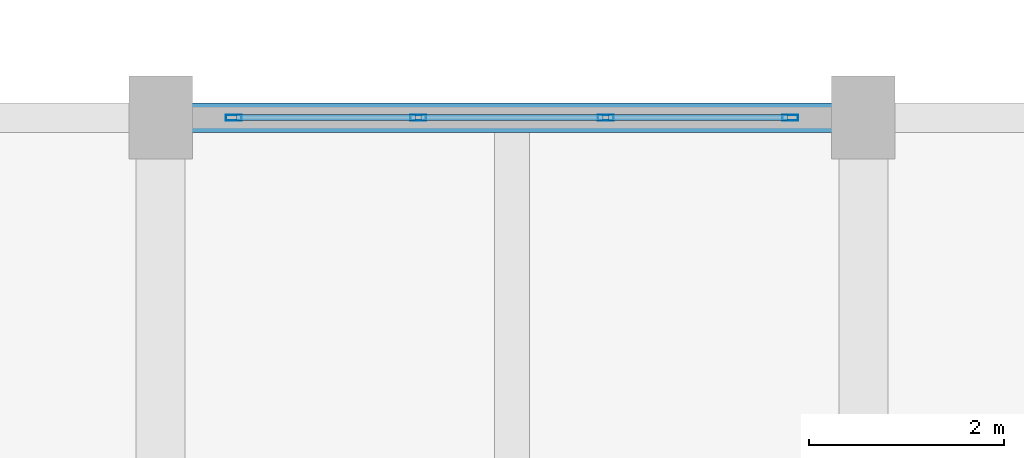
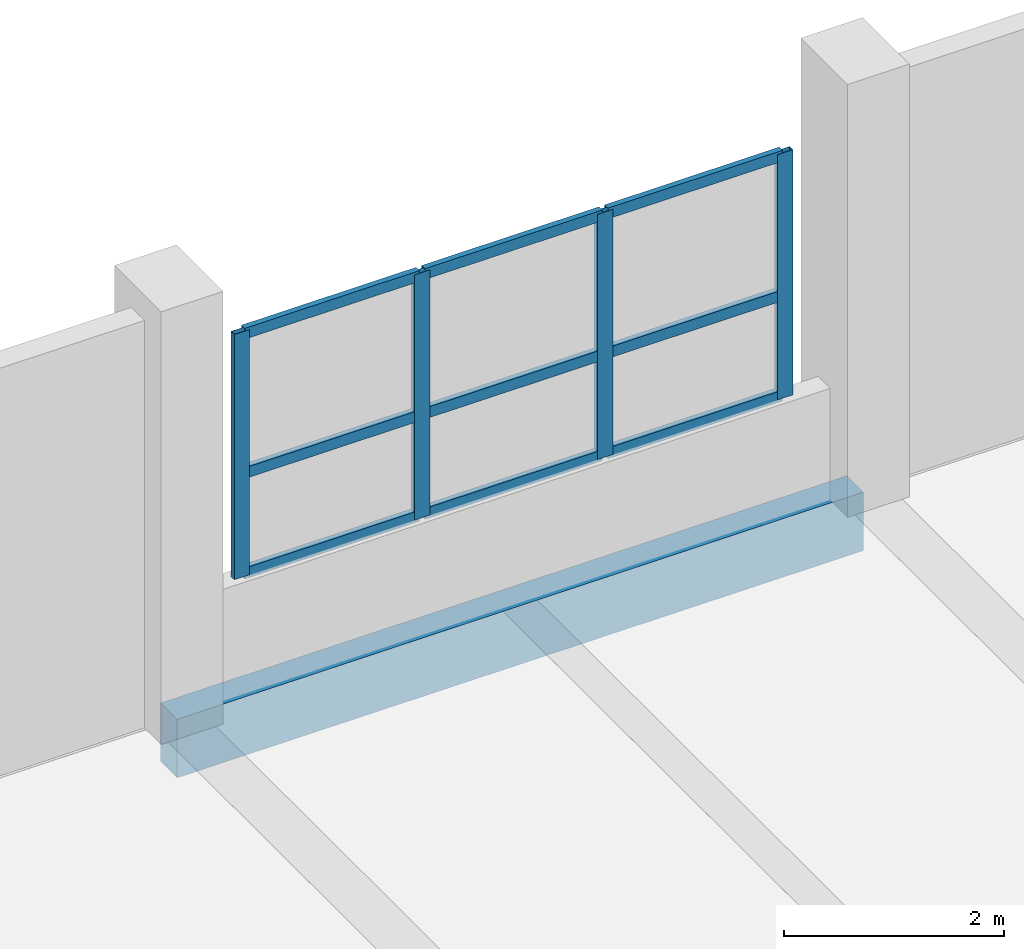
# One storey, part 142 of 181: 13 members, 1 beam, 1 element without a shape of its own.
"""IFC4 building model written with IfcOpenShell, lengths in metres."""

from ifc_helpers import new_model, si_unit, direction, frame, origin, origin_2d, place, context, subcontext, project, spatial, rectangle, hollow_rectangle, extrude, material, layer, layer_set, material_profile, profile_set, type_object, element, aggregate, save


model = new_model("IFC4")

# Units and contexts
model_context = context("Model", 3, precision=1e-05, world=origin(), true_north=direction((0.0, 1.0)))
body_context = subcontext(model_context, "Body", "Model", "MODEL_VIEW")
ifc_project = project(units=[si_unit("LENGTHUNIT", "METRE"), si_unit("AREAUNIT", "SQUARE_METRE"), si_unit("VOLUMEUNIT", "CUBIC_METRE"), si_unit("PLANEANGLEUNIT", "RADIAN"), si_unit("MASSUNIT", "GRAM", prefix="KILO")], contexts=[model_context])

# Site, building, storey
site_placement = place(None, origin())
site = spatial("IfcSite", under=ifc_project, at=site_placement, CompositionType="ELEMENT")
building_placement = place(site_placement, origin())
building = spatial("IfcBuilding", under=site, at=building_placement, Name="Seraya Terrace Polytechnic", CompositionType="ELEMENT")
storey_placement = place(building_placement, frame((0.0, 0.0, 4.800048828125)))
storey = spatial("IfcBuildingStorey", under=building, at=storey_placement, Name="L01", CompositionType="ELEMENT", Elevation=4.800048828125)

# Curtain wall, members
ifc_material_1 = material(Name="Anodised aluminium EN AW-6063 T6", Category="aluminium")
ifc_layer = layer(ifc_material_1, 0.179931640625, Name="CW-17")
ifc_layer_set = layer_set([ifc_layer], Name="Anodised aluminium EN AW-6063 T6")
curtain_wall_type = type_object("IfcCurtainWallType", Name="CW-17", PredefinedType="NOTDEFINED", material=ifc_layer_set)
curtain_wall_placement = place(storey_placement, origin())
curtain_wall = element("IfcCurtainWall", 1, at=curtain_wall_placement, inside=storey, type_object=curtain_wall_type, Name="Unitised curtain wall CW-17 (CW-L01-017)", PredefinedType="NOTDEFINED")
ifc_material_profile_1 = material_profile(ifc_material_1, hollow_rectangle(XDim=0.06005859375, YDim=0.159912109375, WallThickness=0.00341796875, at=origin_2d()), Name="RHS 160x60x3.5")
ifc_profile_set_1 = profile_set([ifc_material_profile_1], Name="Anodised aluminium EN AW-6063 T6")
member_type_1 = type_object("IfcMemberType", Name="CWM-02", PredefinedType="MULLION", material=ifc_profile_set_1)
member_1_placement = place(storey_placement, frame((130.35009765625, 115.199951171875, 1.239990234375), z_axis=(0.0, 0.0, 1.0), x_axis=(0.0, 1.0, 0.0)))
member_1 = element("IfcMember", 2, at=member_1_placement, type_object=member_type_1, Name="CW-17 mullion 1", PredefinedType="MULLION", context=body_context, shape_type="SweptSolid", body=[
    extrude(hollow_rectangle(XDim=0.06005859375, YDim=0.159912109375, WallThickness=0.00341796875, at=origin_2d()), origin(), (0.0, 0.0, 1.0), 2.719970703125),
])
member_2_placement = place(storey_placement, frame((132.239990234375, 115.199951171875, 1.239990234375), z_axis=(0.0, 0.0, 1.0), x_axis=(0.0, 1.0, 0.0)))
member_2 = element("IfcMember", 3, at=member_2_placement, type_object=member_type_1, Name="CW-17 mullion 2", PredefinedType="MULLION", context=body_context, shape_type="SweptSolid", body=[
    extrude(hollow_rectangle(XDim=0.06005859375, YDim=0.159912109375, WallThickness=0.00341796875, at=origin_2d()), origin(), (0.0, 0.0, 1.0), 2.719970703125),
])
member_3_placement = place(storey_placement, frame((134.159912109375, 115.199951171875, 1.239990234375), z_axis=(0.0, 0.0, 1.0), x_axis=(0.0, 1.0, 0.0)))
member_3 = element("IfcMember", 4, at=member_3_placement, type_object=member_type_1, Name="CW-17 mullion 3", PredefinedType="MULLION", context=body_context, shape_type="SweptSolid", body=[
    extrude(hollow_rectangle(XDim=0.06005859375, YDim=0.159912109375, WallThickness=0.00341796875, at=origin_2d()), origin(), (0.0, 0.0, 1.0), 2.719970703125),
])
member_4_placement = place(storey_placement, frame((136.050048828125, 115.199951171875, 1.239990234375), z_axis=(0.0, 0.0, 1.0), x_axis=(0.0, 1.0, 0.0)))
member_4 = element("IfcMember", 5, at=member_4_placement, type_object=member_type_1, Name="CW-17 mullion 4", PredefinedType="MULLION", context=body_context, shape_type="SweptSolid", body=[
    extrude(hollow_rectangle(XDim=0.06005859375, YDim=0.159912109375, WallThickness=0.00341796875, at=origin_2d()), origin(), (0.0, 0.0, 1.0), 2.719970703125),
])
ifc_material_profile_2 = material_profile(ifc_material_1, hollow_rectangle(XDim=0.06005859375, YDim=0.1201171875, WallThickness=0.003173828125, at=origin_2d()), Name="RHS 120x60x3.2")
ifc_profile_set_2 = profile_set([ifc_material_profile_2], Name="Anodised aluminium EN AW-6063 T6")
member_type_2 = type_object("IfcMemberType", Name="CWT-02", PredefinedType="USERDEFINED", material=ifc_profile_set_2)
member_5_placement = place(storey_placement, frame((130.3798828125, 115.199951171875, 1.27001953125), z_axis=(1.0, 0.0, 0.0), x_axis=(0.0, 1.0, 0.0)))
member_5 = element("IfcMember", 6, at=member_5_placement, type_object=member_type_2, Name="CW-17 transom 1.1", ObjectType="TRANSOM", PredefinedType="USERDEFINED", context=body_context, shape_type="SweptSolid", body=[
    extrude(hollow_rectangle(XDim=0.06005859375, YDim=0.1201171875, WallThickness=0.003173828125, at=origin_2d()), origin(), (0.0, 0.0, 1.0), 1.830078125),
])
member_6_placement = place(storey_placement, frame((130.3798828125, 115.199951171875, 2.38232421875), z_axis=(1.0, 0.0, 0.0), x_axis=(0.0, 1.0, 0.0)))
member_6 = element("IfcMember", 7, at=member_6_placement, type_object=member_type_2, Name="CW-17 transom 1.2", ObjectType="TRANSOM", PredefinedType="USERDEFINED", context=body_context, shape_type="SweptSolid", body=[
    extrude(hollow_rectangle(XDim=0.06005859375, YDim=0.1201171875, WallThickness=0.003173828125, at=origin_2d()), origin(), (0.0, 0.0, 1.0), 1.830078125),
])
member_7_placement = place(storey_placement, frame((130.3798828125, 115.199951171875, 3.929931640625), z_axis=(1.0, 0.0, 0.0), x_axis=(0.0, 1.0, 0.0)))
member_7 = element("IfcMember", 8, at=member_7_placement, type_object=member_type_2, Name="CW-17 transom 1.3", ObjectType="TRANSOM", PredefinedType="USERDEFINED", context=body_context, shape_type="SweptSolid", body=[
    extrude(hollow_rectangle(XDim=0.06005859375, YDim=0.1201171875, WallThickness=0.003173828125, at=origin_2d()), origin(), (0.0, 0.0, 1.0), 1.830078125),
])
member_8_placement = place(storey_placement, frame((132.27001953125, 115.199951171875, 1.27001953125), z_axis=(1.0, 0.0, 0.0), x_axis=(0.0, 1.0, 0.0)))
member_8 = element("IfcMember", 9, at=member_8_placement, type_object=member_type_2, Name="CW-17 transom 2.1", ObjectType="TRANSOM", PredefinedType="USERDEFINED", context=body_context, shape_type="SweptSolid", body=[
    extrude(hollow_rectangle(XDim=0.06005859375, YDim=0.1201171875, WallThickness=0.003173828125, at=origin_2d()), origin(), (0.0, 0.0, 1.0), 1.85986328125),
])
member_9_placement = place(storey_placement, frame((132.27001953125, 115.199951171875, 2.38232421875), z_axis=(1.0, 0.0, 0.0), x_axis=(0.0, 1.0, 0.0)))
member_9 = element("IfcMember", 10, at=member_9_placement, type_object=member_type_2, Name="CW-17 transom 2.2", ObjectType="TRANSOM", PredefinedType="USERDEFINED", context=body_context, shape_type="SweptSolid", body=[
    extrude(hollow_rectangle(XDim=0.06005859375, YDim=0.1201171875, WallThickness=0.003173828125, at=origin_2d()), origin(), (0.0, 0.0, 1.0), 1.85986328125),
])
member_10_placement = place(storey_placement, frame((132.27001953125, 115.199951171875, 3.929931640625), z_axis=(1.0, 0.0, 0.0), x_axis=(0.0, 1.0, 0.0)))
member_10 = element("IfcMember", 11, at=member_10_placement, type_object=member_type_2, Name="CW-17 transom 2.3", ObjectType="TRANSOM", PredefinedType="USERDEFINED", context=body_context, shape_type="SweptSolid", body=[
    extrude(hollow_rectangle(XDim=0.06005859375, YDim=0.1201171875, WallThickness=0.003173828125, at=origin_2d()), origin(), (0.0, 0.0, 1.0), 1.85986328125),
])
member_11_placement = place(storey_placement, frame((134.18994140625, 115.199951171875, 1.27001953125), z_axis=(1.0, 0.0, 0.0), x_axis=(0.0, 1.0, 0.0)))
member_11 = element("IfcMember", 12, at=member_11_placement, type_object=member_type_2, Name="CW-17 transom 3.1", ObjectType="TRANSOM", PredefinedType="USERDEFINED", context=body_context, shape_type="SweptSolid", body=[
    extrude(hollow_rectangle(XDim=0.06005859375, YDim=0.1201171875, WallThickness=0.003173828125, at=origin_2d()), origin(), (0.0, 0.0, 1.0), 1.830078125),
])
member_12_placement = place(storey_placement, frame((134.18994140625, 115.199951171875, 2.38232421875), z_axis=(1.0, 0.0, 0.0), x_axis=(0.0, 1.0, 0.0)))
member_12 = element("IfcMember", 13, at=member_12_placement, type_object=member_type_2, Name="CW-17 transom 3.2", ObjectType="TRANSOM", PredefinedType="USERDEFINED", context=body_context, shape_type="SweptSolid", body=[
    extrude(hollow_rectangle(XDim=0.06005859375, YDim=0.1201171875, WallThickness=0.003173828125, at=origin_2d()), origin(), (0.0, 0.0, 1.0), 1.830078125),
])
member_13_placement = place(storey_placement, frame((134.18994140625, 115.199951171875, 3.929931640625), z_axis=(1.0, 0.0, 0.0), x_axis=(0.0, 1.0, 0.0)))
member_13 = element("IfcMember", 14, at=member_13_placement, type_object=member_type_2, Name="CW-17 transom 3.3", ObjectType="TRANSOM", PredefinedType="USERDEFINED", context=body_context, shape_type="SweptSolid", body=[
    extrude(hollow_rectangle(XDim=0.06005859375, YDim=0.1201171875, WallThickness=0.003173828125, at=origin_2d()), origin(), (0.0, 0.0, 1.0), 1.830078125),
])
aggregate(curtain_wall, [member_1, member_2, member_3, member_4, member_5, member_6, member_7, member_8, member_9, member_10, member_11, member_12, member_13])

# Beam
ifc_material_2 = material(Name="Concrete C40/50", Category="concrete")
ifc_material_profile_3 = material_profile(ifc_material_2, rectangle(XDim=0.300048828125, YDim=0.64990234375, at=origin_2d()), Name="RC 300x650")
ifc_profile_set_3 = profile_set([ifc_material_profile_3], Name="Concrete C40/50")
beam_type = type_object("IfcBeamType", Name="SP-01", PredefinedType="SPANDREL", material=ifc_profile_set_3)
beam_placement = place(storey_placement, frame((129.60009765625, 115.199951171875, -0.324951171875), z_axis=(1.0, 0.0, 0.0), x_axis=(0.0, 1.0, 0.0)))
element("IfcBeam", 15, at=beam_placement, inside=storey, type_object=beam_type, Name="Beam SP-01 L01 X (129.6..136.8, 115.2)", PredefinedType="SPANDREL", context=body_context, shape_type="SweptSolid", body=[
    extrude(rectangle(XDim=0.300048828125, YDim=0.64990234375, at=origin_2d()), origin(), (0.0, 0.0, 1.0), 7.199951171875),
])

save(model, "model.ifc")
